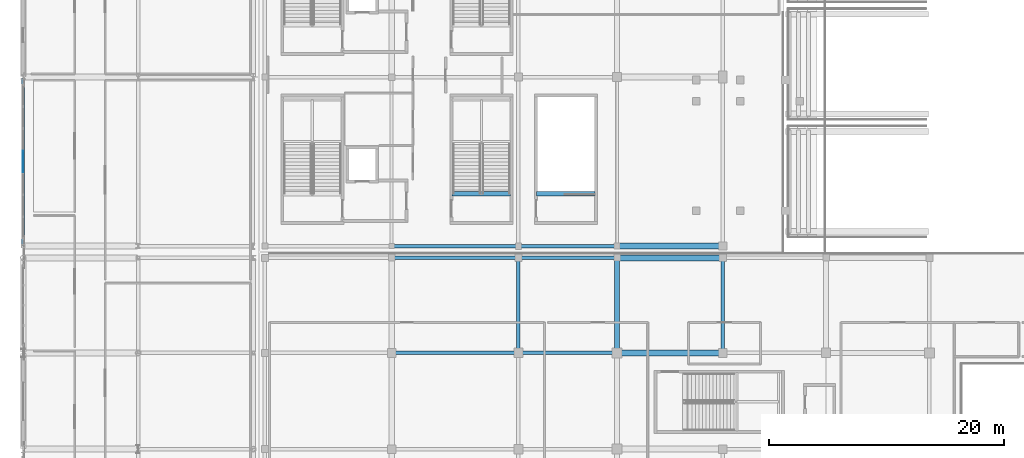
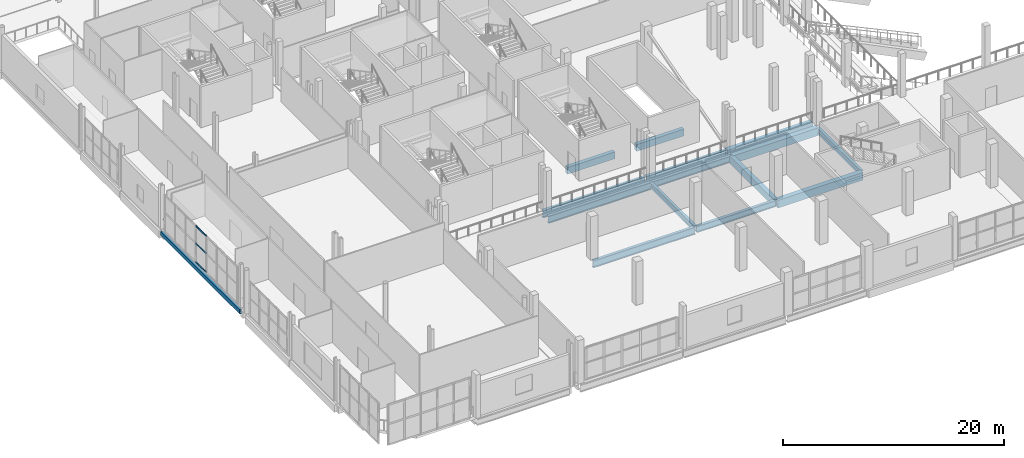
# One storey, part 17 of 129: 15 beams, 3 members, 1 element without a shape of its own.
"""IFC4 building model written with IfcOpenShell, lengths in metres."""

from ifc_helpers import new_model, si_unit, direction, frame, origin, origin_2d, place, context, subcontext, project, spatial, rectangle, hollow_rectangle, i_section, extrude, material, material_profile, profile_set, type_object, element, aggregate, save


model = new_model("IFC4")

# Units and contexts
model_context = context("Model", 3, precision=1e-05, world=origin(), true_north=direction((0.0, 1.0)))
body_context = subcontext(model_context, "Body", "Model", "MODEL_VIEW")
ifc_project = project(units=[si_unit("LENGTHUNIT", "METRE"), si_unit("AREAUNIT", "SQUARE_METRE"), si_unit("VOLUMEUNIT", "CUBIC_METRE"), si_unit("PLANEANGLEUNIT", "RADIAN"), si_unit("MASSUNIT", "GRAM", prefix="KILO")], contexts=[model_context])

# Site, building, storey
site_placement = place(None, origin())
site = spatial("IfcSite", under=ifc_project, at=site_placement, CompositionType="ELEMENT")
building_placement = place(site_placement, origin())
building = spatial("IfcBuilding", under=site, at=building_placement, Name="Koshinbarg Plaza Stadium", CompositionType="ELEMENT")
storey_placement = place(building_placement, frame((0.0, 0.0, 5.39990234375)))
storey = spatial("IfcBuildingStorey", under=building, at=storey_placement, Name="L01", CompositionType="ELEMENT", Elevation=5.39990234375)

# Beams
ifc_material_1 = material(Name="Concrete C40/50", Category="concrete")
ifc_material_profile_1 = material_profile(ifc_material_1, rectangle(XDim=0.39990234375, YDim=0.75, at=origin_2d()), Name="RC 400x750")
ifc_profile_set_1 = profile_set([ifc_material_profile_1], Name="Concrete C40/50")
beam_type_1 = type_object("IfcBeamType", Name="BM-RCG-03", PredefinedType="USERDEFINED", material=ifc_profile_set_1)
for number, where, z_axis, x_axis, name in (
    (1, (40.550048828125, 29.9599609375, -0.375), (1.0, 0.0, 0.0), (0.0, 1.0, 0.0), "L01 stair landing header beam VX01"),
    (2, (47.75, 29.9599609375, -0.375), (1.0, 0.0, 0.0), (0.0, 1.0, 0.0), "L01 stair landing header beam VL01"),
):
    element("IfcBeam", number, at=place(storey_placement, frame(where, z_axis=z_axis, x_axis=x_axis)), inside=storey, type_object=beam_type_1, Name=name, ObjectType="GIRDER", PredefinedType="USERDEFINED", context=body_context, shape_type="SweptSolid", body=[
        extrude(rectangle(XDim=0.39990234375, YDim=0.75, at=origin_2d()), origin(), (0.0, 0.0, 1.0), 4.969970703125),
    ])
ifc_material_profile_2 = material_profile(ifc_material_1, rectangle(XDim=0.449951171875, YDim=0.800048828125, at=origin_2d()), Name="RC 450x800")
ifc_profile_set_2 = profile_set([ifc_material_profile_2], Name="Concrete C40/50")
beam_type_2 = type_object("IfcBeamType", Name="BM-RCG-04", PredefinedType="USERDEFINED", material=ifc_profile_set_2)
beam_1_placement = place(storey_placement, frame((54.60009765625, 16.4599609375, -0.719970703125), z_axis=(0.0, 1.0, 0.0), x_axis=(-1.0, 0.0, 0.0)))
element("IfcBeam", 3, at=beam_1_placement, inside=storey, type_object=beam_type_2, Name="L01 Y girder 8/C-D", ObjectType="GIRDER", PredefinedType="USERDEFINED", context=body_context, shape_type="SweptSolid", body=[
    extrude(rectangle(XDim=0.449951171875, YDim=0.800048828125, at=origin_2d()), origin(), (0.0, 0.0, 1.0), 7.97998046875),
])
ifc_material_profile_3 = material_profile(ifc_material_1, rectangle(XDim=0.5, YDim=0.85009765625, at=origin_2d()), Name="RC 500x850")
ifc_profile_set_3 = profile_set([ifc_material_profile_3], Name="Concrete C40/50")
beam_type_3 = type_object("IfcBeamType", Name="BM-RCG-05", PredefinedType="USERDEFINED", material=ifc_profile_set_3)
for number, where, z_axis, x_axis, name in (
    (4, (54.659912109375, 16.39990234375, -0.744873046875), (1.0, 0.0, 0.0), (0.0, 1.0, 0.0), "L01 X girder C/8-9"),
    (5, (54.659912109375, 24.5, -0.744873046875), (1.0, 0.0, 0.0), (0.0, 1.0, 0.0), "L01 X girder D/8-9"),
    (6, (54.659912109375, 25.5, -0.744873046875), (1.0, 0.0, 0.0), (0.0, 1.0, 0.0), "L01 X girder E/8-9"),
):
    element("IfcBeam", number, at=place(storey_placement, frame(where, z_axis=z_axis, x_axis=x_axis)), inside=storey, type_object=beam_type_3, Name=name, ObjectType="GIRDER", PredefinedType="USERDEFINED", context=body_context, shape_type="SweptSolid", body=[
        extrude(rectangle(XDim=0.5, YDim=0.85009765625, at=origin_2d()), origin(), (0.0, 0.0, 1.0), 8.880126953125),
    ])
ifc_material_2 = material(Name="Steel S355", Category="steel")
ifc_material_profile_4 = material_profile(ifc_material_2, i_section(OverallWidth=0.300048828125, OverallDepth=0.60009765625, WebThickness=0.015380859375, FlangeThickness=0.030029296875, at=origin_2d()), Name="HEB 600")
ifc_profile_set_4 = profile_set([ifc_material_profile_4], Name="Steel S355")
beam_type_4 = type_object("IfcBeamType", Name="BM-SGIR-02", PredefinedType="USERDEFINED", material=ifc_profile_set_4)
for number, where, z_axis, x_axis, name in (
    (7, (46.199951171875, 16.4599609375, -0.619873046875), (0.0, 1.0, 0.0), (-1.0, 0.0, 0.0), "L01 Y girder 7/C-D"),
    (8, (63.60009765625, 16.4599609375, -0.619873046875), (0.0, 1.0, 0.0), (-1.0, 0.0, 0.0), "L01 Y girder 9/C-D"),
):
    element("IfcBeam", number, at=place(storey_placement, frame(where, z_axis=z_axis, x_axis=x_axis)), inside=storey, type_object=beam_type_4, Name=name, ObjectType="GIRDER", PredefinedType="USERDEFINED", context=body_context, shape_type="SweptSolid", body=[
        extrude(i_section(OverallWidth=0.300048828125, OverallDepth=0.60009765625, WebThickness=0.015380859375, FlangeThickness=0.030029296875, at=origin_2d()), origin(), (0.0, 0.0, 1.0), 7.97998046875),
    ])
ifc_material_profile_5 = material_profile(ifc_material_2, i_section(OverallWidth=0.300048828125, OverallDepth=0.699951171875, WebThickness=0.01708984375, FlangeThickness=0.031982421875, at=origin_2d()), Name="HEB 700")
ifc_profile_set_5 = profile_set([ifc_material_profile_5], Name="Steel S355")
beam_type_5 = type_object("IfcBeamType", Name="BM-SGIR-03", PredefinedType="USERDEFINED", material=ifc_profile_set_5)
for number, where, z_axis, x_axis, name in (
    (9, (46.260009765625, 16.39990234375, -0.669921875), (1.0, 0.0, 0.0), (0.0, 1.0, 0.0), "L01 X girder C/7-8"),
    (10, (46.260009765625, 24.5, -0.669921875), (1.0, 0.0, 0.0), (0.0, 1.0, 0.0), "L01 X girder D/7-8"),
    (11, (46.260009765625, 25.5, -0.669921875), (1.0, 0.0, 0.0), (0.0, 1.0, 0.0), "L01 X girder E/7-8"),
):
    element("IfcBeam", number, at=place(storey_placement, frame(where, z_axis=z_axis, x_axis=x_axis)), inside=storey, type_object=beam_type_5, Name=name, ObjectType="GIRDER", PredefinedType="USERDEFINED", context=body_context, shape_type="SweptSolid", body=[
        extrude(i_section(OverallWidth=0.300048828125, OverallDepth=0.699951171875, WebThickness=0.01708984375, FlangeThickness=0.031982421875, at=origin_2d()), origin(), (0.0, 0.0, 1.0), 8.280029296875),
    ])
ifc_material_profile_6 = material_profile(ifc_material_2, i_section(OverallWidth=0.300048828125, OverallDepth=0.800048828125, WebThickness=0.017578125, FlangeThickness=0.032958984375, at=origin_2d()), Name="HEB 800")
ifc_profile_set_6 = profile_set([ifc_material_profile_6], Name="Steel S355")
beam_type_6 = type_object("IfcBeamType", Name="BM-SGIR-04", PredefinedType="USERDEFINED", material=ifc_profile_set_6)
for number, where, z_axis, x_axis, name in (
    (12, (35.4599609375, 16.39990234375, -0.719970703125), (1.0, 0.0, 0.0), (0.0, 1.0, 0.0), "L01 X girder C/6-7"),
    (13, (35.4599609375, 24.5, -0.719970703125), (1.0, 0.0, 0.0), (0.0, 1.0, 0.0), "L01 X girder D/6-7"),
    (14, (35.4599609375, 25.5, -0.719970703125), (1.0, 0.0, 0.0), (0.0, 1.0, 0.0), "L01 X girder E/6-7"),
):
    element("IfcBeam", number, at=place(storey_placement, frame(where, z_axis=z_axis, x_axis=x_axis)), inside=storey, type_object=beam_type_6, Name=name, ObjectType="GIRDER", PredefinedType="USERDEFINED", context=body_context, shape_type="SweptSolid", body=[
        extrude(i_section(OverallWidth=0.300048828125, OverallDepth=0.800048828125, WebThickness=0.017578125, FlangeThickness=0.032958984375, at=origin_2d()), origin(), (0.0, 0.0, 1.0), 10.679931640625),
    ])
ifc_material_profile_7 = material_profile(ifc_material_2, hollow_rectangle(XDim=0.25, YDim=0.449951171875, WallThickness=0.01611328125, at=origin_2d()), Name="RHS 450x250x16")
ifc_profile_set_7 = profile_set([ifc_material_profile_7], Name="Steel S355")
beam_type_7 = type_object("IfcBeamType", Name="BM-SGIR-06", PredefinedType="USERDEFINED", material=ifc_profile_set_7)
beam_2_placement = place(storey_placement, frame((4.0, 25.56005859375, -0.544921875), z_axis=(0.0, 1.0, 0.0), x_axis=(-1.0, 0.0, 0.0)))
element("IfcBeam", 15, at=beam_2_placement, inside=storey, type_object=beam_type_7, Name="L01 Y girder 2/E-F", ObjectType="GIRDER", PredefinedType="USERDEFINED", context=body_context, shape_type="SweptSolid", body=[
    extrude(hollow_rectangle(XDim=0.25, YDim=0.449951171875, WallThickness=0.01611328125, at=origin_2d()), origin(), (0.0, 0.0, 1.0), 14.280029296875),
])

# Curtain wall, members
ifc_material_3 = material(Name="Thermally broken anodised aluminium and low-E double glazing", Category="aluminium")
curtain_wall_type = type_object("IfcCurtainWallType", Name="CW-SYS-04", PredefinedType="NOTDEFINED", material=ifc_material_3)
curtain_wall_placement = place(storey_placement, origin())
curtain_wall = element("IfcCurtainWall", 16, at=curtain_wall_placement, inside=storey, type_object=curtain_wall_type, Name="L01 unitised curtain wall CW-L01-003", PredefinedType="NOTDEFINED")
ifc_material_4 = material(Name="Anodised aluminium transom", Category="aluminium")
ifc_material_profile_8 = material_profile(ifc_material_4, rectangle(XDim=0.06005859375, YDim=0.1298828125, at=origin_2d()), Name="ALU 60x130")
ifc_profile_set_8 = profile_set([ifc_material_profile_8], Name="Anodised aluminium transom")
member_type = type_object("IfcMemberType", Name="CW-TRN-02", PredefinedType="USERDEFINED", material=ifc_profile_set_8)
member_1_placement = place(storey_placement, frame((4.0, 31.7900390625, 0.030029296875), z_axis=(0.0, 1.0, 0.0), x_axis=(-1.0, 0.0, 0.0)))
member_1 = element("IfcMember", 17, at=member_1_placement, type_object=member_type, Name="CW04 transom 4.1", ObjectType="TRANSOM", PredefinedType="USERDEFINED", context=body_context, shape_type="SweptSolid", body=[
    extrude(rectangle(XDim=0.06005859375, YDim=0.1298828125, at=origin_2d()), origin(), (0.0, 0.0, 1.0), 1.820068359375),
])
member_2_placement = place(storey_placement, frame((4.0, 31.7900390625, 2.095703125), z_axis=(0.0, 1.0, 0.0), x_axis=(-1.0, 0.0, 0.0)))
member_2 = element("IfcMember", 18, at=member_2_placement, type_object=member_type, Name="CW04 transom 4.2", ObjectType="TRANSOM", PredefinedType="USERDEFINED", context=body_context, shape_type="SweptSolid", body=[
    extrude(rectangle(XDim=0.06005859375, YDim=0.1298828125, at=origin_2d()), origin(), (0.0, 0.0, 1.0), 1.820068359375),
])
member_3_placement = place(storey_placement, frame((4.0, 31.7900390625, 4.0), z_axis=(0.0, 1.0, 0.0), x_axis=(-1.0, 0.0, 0.0)))
member_3 = element("IfcMember", 19, at=member_3_placement, type_object=member_type, Name="CW04 transom 4.3", ObjectType="TRANSOM", PredefinedType="USERDEFINED", context=body_context, shape_type="SweptSolid", body=[
    extrude(rectangle(XDim=0.06005859375, YDim=0.1298828125, at=origin_2d()), origin(), (0.0, 0.0, 1.0), 1.820068359375),
])
aggregate(curtain_wall, [member_1, member_2, member_3])

save(model, "model.ifc")
